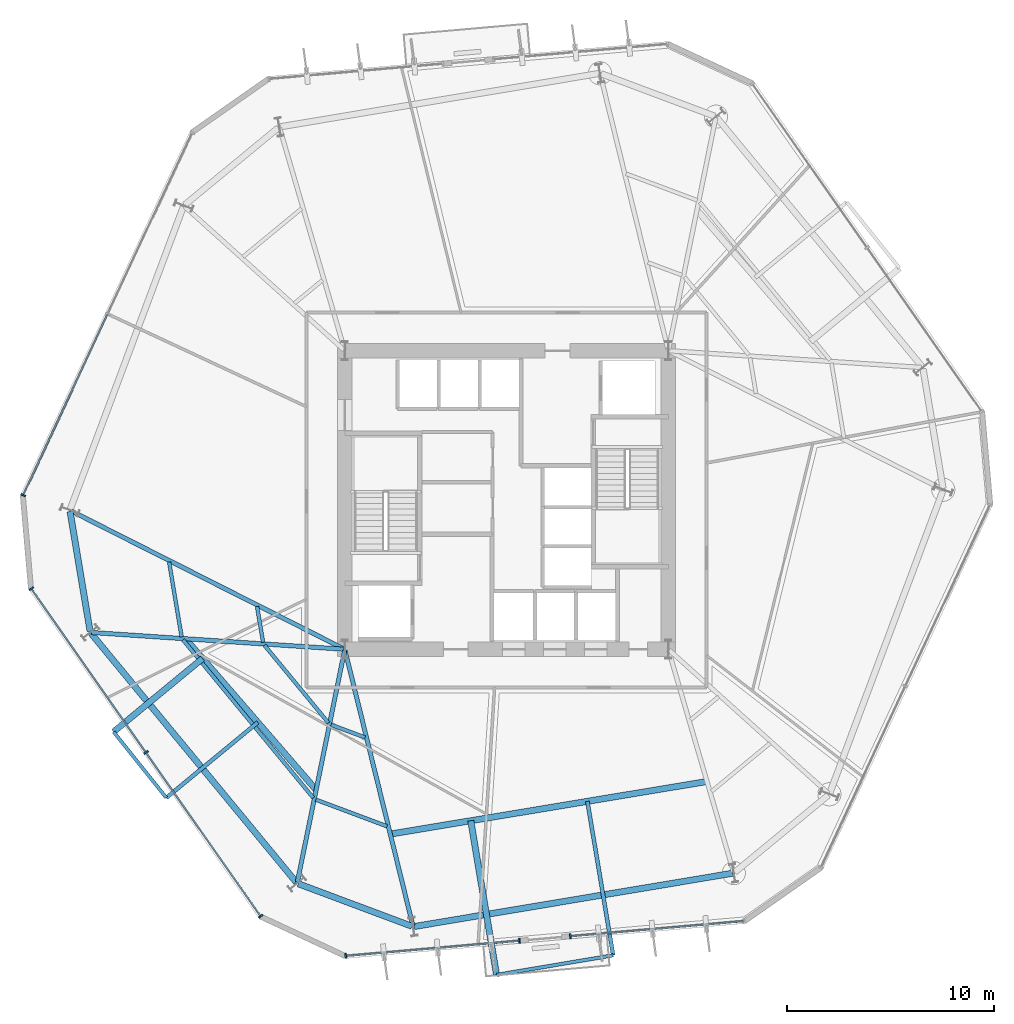
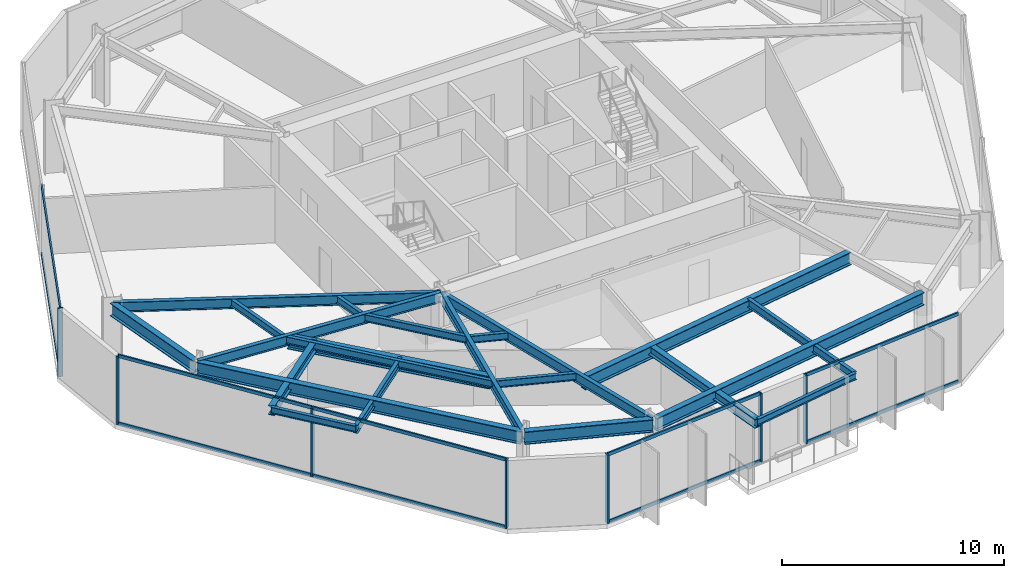
# One storey, part 2 of 11: 22 beams, 17 members, 4 elements without a shape of their own.
"""IFC4 building model written with IfcOpenShell, lengths in metres."""

from ifc_helpers import new_model, si_unit, direction, frame, origin, origin_2d, place, context, subcontext, project, spatial, rectangle, i_section, extrude, material, layer, layer_set, material_profile, profile_set, type_object, element, aggregate, save


model = new_model("IFC4")

# Units and contexts
model_context = context("Model", 3, precision=1e-05, world=origin(), true_north=direction((0.0, 1.0)))
body_context = subcontext(model_context, "Body", "Model", "MODEL_VIEW")
ifc_project = project(units=[si_unit("LENGTHUNIT", "METRE"), si_unit("AREAUNIT", "SQUARE_METRE"), si_unit("VOLUMEUNIT", "CUBIC_METRE"), si_unit("PLANEANGLEUNIT", "RADIAN"), si_unit("MASSUNIT", "GRAM", prefix="KILO")], contexts=[model_context])

# Site, building, storey
site_placement = place(None, origin())
site = spatial("IfcSite", under=ifc_project, at=site_placement, CompositionType="ELEMENT")
building_placement = place(site_placement, origin())
building = spatial("IfcBuilding", under=site, at=building_placement, Name="Kranzbogen Civic Tower", CompositionType="ELEMENT")
storey_placement = place(building_placement, frame((0.0, 0.0, 40.0)))
storey = spatial("IfcBuildingStorey", under=building, at=storey_placement, Name="L09", CompositionType="ELEMENT", Elevation=40.0)

# Beams
ifc_material_1 = material(Name="Steel S355", Category="steel")
ifc_material_profile_1 = material_profile(ifc_material_1, i_section(OverallWidth=0.18994140625, OverallDepth=0.449951171875, WebThickness=0.009521484375, FlangeThickness=0.0146484375, at=origin_2d()), Name="IPE 450")
ifc_profile_set_1 = profile_set([ifc_material_profile_1], Name="Steel S355")
beam_type_1 = type_object("IfcBeamType", Name="Braced Terrace Edge Beam IPE 450", PredefinedType="BEAM", material=ifc_profile_set_1)
beam_1_placement = place(storey_placement, frame((13.006103515625, 14.277099609375, 3.52490234375), z_axis=(-0.771647846518, -0.636049998793, 0.0), x_axis=(0.636049998793, -0.771647846518, 0.0)))
element("IfcBeam", 1, at=beam_1_placement, inside=storey, type_object=beam_type_1, Name="L10 back-spanned terrace beam L10-TB1-2", PredefinedType="BEAM", context=body_context, shape_type="SweptSolid", body=[
    extrude(i_section(OverallWidth=0.18994140625, OverallDepth=0.449951171875, WebThickness=0.009521484375, FlangeThickness=0.0146484375, at=origin_2d()), origin(), (0.0, 0.0, 1.0), 5.716552734375),
])
beam_2_placement = place(storey_placement, frame((28.89892578125, 10.468994140625, 3.4951171875), z_axis=(0.1650459641, -0.986285876272, 0.0), x_axis=(0.986285876272, 0.1650459641, 0.0)))
element("IfcBeam", 2, at=beam_2_placement, inside=storey, type_object=beam_type_1, Name="L10 back-spanned terrace beam L10-ST-2", PredefinedType="BEAM", context=body_context, shape_type="SweptSolid", body=[
    extrude(i_section(OverallWidth=0.18994140625, OverallDepth=0.449951171875, WebThickness=0.009521484375, FlangeThickness=0.0146484375, at=origin_2d()), origin(), (0.0, 0.0, 1.0), 7.5263671875),
])

# Curtain wall, member
ifc_material_2 = material(Name="Pale Anodised Aluminium", Category="aluminium")
ifc_layer = layer(ifc_material_2, 0.219970703125, Name="Pale Anodised Aluminium")
ifc_layer_set = layer_set([ifc_layer], Name="Pale Anodised Aluminium")
curtain_wall_type = type_object("IfcCurtainWallType", Name="Zone 1 Stick Curtain Wall System CW-02", PredefinedType="USERDEFINED", material=ifc_layer_set)
curtain_wall_1_placement = place(storey_placement, origin())
curtain_wall_1 = element("IfcCurtainWall", 3, at=curtain_wall_1_placement, inside=storey, type_object=curtain_wall_type, Name="L09 curtain wall CW-L09-F3", ObjectType="STICK CURTAIN WALL", PredefinedType="USERDEFINED")
ifc_material_profile_2 = material_profile(ifc_material_2, rectangle(XDim=0.080078125, YDim=0.239990234375, at=origin_2d()), Name="ALU-M 80x240")
ifc_profile_set_2 = profile_set([ifc_material_profile_2], Name="Pale Anodised Aluminium")
member_type_1 = type_object("IfcMemberType", Name="Curtain Wall Mullion ALU-M 80x240", PredefinedType="MULLION", material=ifc_profile_set_2)
member_1_placement = place(storey_placement, frame((1.691650390625, 25.232177734375, 0.0), z_axis=(0.0, 0.0, 1.0), x_axis=(-0.422622213878, -0.906305944114, 0.0)))
member_1 = element("IfcMember", 4, at=member_1_placement, type_object=member_type_1, Name="CW-02 mullion 3", PredefinedType="MULLION", context=body_context, shape_type="SweptSolid", body=[
    extrude(rectangle(XDim=0.080078125, YDim=0.239990234375, at=origin_2d()), origin(), (0.0, 0.0, 1.0), 3.760009765625),
])

# Curtain wall, members
curtain_wall_2_placement = place(storey_placement, origin())
curtain_wall_2 = element("IfcCurtainWall", 5, at=curtain_wall_2_placement, inside=storey, type_object=curtain_wall_type, Name="L09 curtain wall CW-L09-F4", ObjectType="STICK CURTAIN WALL", PredefinedType="USERDEFINED")
member_2_placement = place(storey_placement, frame((2.086181640625, 20.724365234375, 0.0), z_axis=(0.0, 0.0, 1.0), x_axis=(0.573562973826, -0.819161470685, 0.0)))
member_2 = element("IfcMember", 6, at=member_2_placement, type_object=member_type_1, Name="CW-02 mullion 1", PredefinedType="MULLION", context=body_context, shape_type="SweptSolid", body=[
    extrude(rectangle(XDim=0.080078125, YDim=0.239990234375, at=origin_2d()), origin(), (0.0, 0.0, 1.0), 3.760009765625),
])
member_3_placement = place(storey_placement, frame((7.615478515625, 12.827392578125, 0.0), z_axis=(0.0, 0.0, 1.0), x_axis=(0.573562973826, -0.819161470685, 0.0)))
member_3 = element("IfcMember", 7, at=member_3_placement, type_object=member_type_1, Name="CW-02 mullion 2", PredefinedType="MULLION", context=body_context, shape_type="SweptSolid", body=[
    extrude(rectangle(XDim=0.080078125, YDim=0.239990234375, at=origin_2d()), origin(), (0.0, 0.0, 1.0), 3.760009765625),
])
member_4_placement = place(storey_placement, frame((13.144775390625, 4.9306640625, 0.0), z_axis=(0.0, 0.0, 1.0), x_axis=(0.573562973826, -0.819161470685, 0.0)))
member_4 = element("IfcMember", 8, at=member_4_placement, type_object=member_type_1, Name="CW-02 mullion 3", PredefinedType="MULLION", context=body_context, shape_type="SweptSolid", body=[
    extrude(rectangle(XDim=0.080078125, YDim=0.239990234375, at=origin_2d()), origin(), (0.0, 0.0, 1.0), 3.760009765625),
])

curtain_wall_3_placement = place(storey_placement, origin())
curtain_wall_3 = element("IfcCurtainWall", 9, at=curtain_wall_3_placement, inside=storey, type_object=curtain_wall_type, Name="L09 curtain wall CW-L09-F5-S1", ObjectType="STICK CURTAIN WALL", PredefinedType="USERDEFINED")
member_5_placement = place(storey_placement, frame((17.245849609375, 3.017578125, 0.0), z_axis=(0.0, 0.0, 1.0), x_axis=(0.996197944707, 0.087118625807, 0.0)))
member_5 = element("IfcMember", 10, at=member_5_placement, type_object=member_type_1, Name="CW-02 mullion 1", PredefinedType="MULLION", context=body_context, shape_type="SweptSolid", body=[
    extrude(rectangle(XDim=0.080078125, YDim=0.239990234375, at=origin_2d()), origin(), (0.0, 0.0, 1.0), 3.760009765625),
])
member_6_placement = place(storey_placement, frame((25.625, 3.75048828125, 0.0), z_axis=(0.0, 0.0, 1.0), x_axis=(0.996197944707, 0.087118625807, 0.0)))
member_6 = element("IfcMember", 11, at=member_6_placement, type_object=member_type_1, Name="CW-02 mullion 2", PredefinedType="MULLION", context=body_context, shape_type="SweptSolid", body=[
    extrude(rectangle(XDim=0.080078125, YDim=0.239990234375, at=origin_2d()), origin(), (0.0, 0.0, 1.0), 3.760009765625),
])

# Curtain wall, member
curtain_wall_4_placement = place(storey_placement, origin())
curtain_wall_4 = element("IfcCurtainWall", 12, at=curtain_wall_4_placement, inside=storey, type_object=curtain_wall_type, Name="L09 curtain wall CW-L09-F5-S2", ObjectType="STICK CURTAIN WALL", PredefinedType="USERDEFINED")
member_7_placement = place(storey_placement, frame((28.074951171875, 3.965576171875, 0.0), z_axis=(0.0, 0.0, 1.0), x_axis=(0.996197048613, 0.087128871992, 0.0)))
member_7 = element("IfcMember", 13, at=member_7_placement, type_object=member_type_1, Name="CW-02 mullion 1", PredefinedType="MULLION", context=body_context, shape_type="SweptSolid", body=[
    extrude(rectangle(XDim=0.080078125, YDim=0.239990234375, at=origin_2d()), origin(), (0.0, 0.0, 1.0), 3.760009765625),
])

# Member
ifc_material_profile_3 = material_profile(ifc_material_2, rectangle(XDim=0.080078125, YDim=0.179931640625, at=origin_2d()), Name="ALU-T 80x180")
ifc_profile_set_3 = profile_set([ifc_material_profile_3], Name="Pale Anodised Aluminium")
member_type_2 = type_object("IfcMemberType", Name="Curtain Wall Transom ALU-T 80x180", PredefinedType="USERDEFINED", material=ifc_profile_set_3)
member_8_placement = place(storey_placement, frame((5.75341796875, 33.9423828125, 0.030029296875), z_axis=(-0.422624579346, -0.906304841062, 0.0), x_axis=(0.906304841062, -0.422624579346, 0.0)))
member_8 = element("IfcMember", 14, at=member_8_placement, type_object=member_type_2, Name="CW-02 transom 2.1", ObjectType="TRANSOM", PredefinedType="USERDEFINED", context=body_context, shape_type="SweptSolid", body=[
    extrude(rectangle(XDim=0.080078125, YDim=0.179931640625, at=origin_2d()), origin(), (0.0, 0.0, 1.0), 9.580810546875),
])

member_9_placement = place(storey_placement, frame((5.75341796875, 33.9423828125, 3.72998046875), z_axis=(-0.422624579346, -0.906304841062, 0.0), x_axis=(0.906304841062, -0.422624579346, 0.0)))
member_9 = element("IfcMember", 15, at=member_9_placement, type_object=member_type_2, Name="CW-02 transom 2.2", ObjectType="TRANSOM", PredefinedType="USERDEFINED", context=body_context, shape_type="SweptSolid", body=[
    extrude(rectangle(XDim=0.080078125, YDim=0.179931640625, at=origin_2d()), origin(), (0.0, 0.0, 1.0), 9.580810546875),
])

aggregate(curtain_wall_1, [member_1, member_8, member_9])

member_10_placement = place(storey_placement, frame((2.103515625, 20.699951171875, 0.030029296875), z_axis=(0.573556407074, -0.819166068575, 0.0), x_axis=(0.819166068575, 0.573556407074, 0.0)))
member_10 = element("IfcMember", 16, at=member_10_placement, type_object=member_type_2, Name="CW-02 transom 1.1", ObjectType="TRANSOM", PredefinedType="USERDEFINED", context=body_context, shape_type="SweptSolid", body=[
    extrude(rectangle(XDim=0.080078125, YDim=0.179931640625, at=origin_2d()), origin(), (0.0, 0.0, 1.0), 9.580322265625),
])

member_11_placement = place(storey_placement, frame((2.103515625, 20.699951171875, 3.72998046875), z_axis=(0.573556407074, -0.819166068575, 0.0), x_axis=(0.819166068575, 0.573556407074, 0.0)))
member_11 = element("IfcMember", 17, at=member_11_placement, type_object=member_type_2, Name="CW-02 transom 1.2", ObjectType="TRANSOM", PredefinedType="USERDEFINED", context=body_context, shape_type="SweptSolid", body=[
    extrude(rectangle(XDim=0.080078125, YDim=0.179931640625, at=origin_2d()), origin(), (0.0, 0.0, 1.0), 9.580322265625),
])

member_12_placement = place(storey_placement, frame((7.6328125, 12.802978515625, 0.030029296875), z_axis=(0.573556407074, -0.819166068575, 0.0), x_axis=(0.819166068575, 0.573556407074, 0.0)))
member_12 = element("IfcMember", 18, at=member_12_placement, type_object=member_type_2, Name="CW-02 transom 2.1", ObjectType="TRANSOM", PredefinedType="USERDEFINED", context=body_context, shape_type="SweptSolid", body=[
    extrude(rectangle(XDim=0.080078125, YDim=0.179931640625, at=origin_2d()), origin(), (0.0, 0.0, 1.0), 9.580322265625),
])

member_13_placement = place(storey_placement, frame((7.6328125, 12.802978515625, 3.72998046875), z_axis=(0.573556407074, -0.819166068575, 0.0), x_axis=(0.819166068575, 0.573556407074, 0.0)))
member_13 = element("IfcMember", 19, at=member_13_placement, type_object=member_type_2, Name="CW-02 transom 2.2", ObjectType="TRANSOM", PredefinedType="USERDEFINED", context=body_context, shape_type="SweptSolid", body=[
    extrude(rectangle(XDim=0.080078125, YDim=0.179931640625, at=origin_2d()), origin(), (0.0, 0.0, 1.0), 9.580322265625),
])

aggregate(curtain_wall_2, [member_2, member_3, member_4, member_10, member_11, member_12, member_13])

member_14_placement = place(storey_placement, frame((17.27587890625, 3.020263671875, 0.030029296875), z_axis=(0.99619790502, 0.087119079615, 0.0), x_axis=(-0.087119079615, 0.99619790502, 0.0)))
member_14 = element("IfcMember", 20, at=member_14_placement, type_object=member_type_2, Name="CW-02 transom 1.1", ObjectType="TRANSOM", PredefinedType="USERDEFINED", context=body_context, shape_type="SweptSolid", body=[
    extrude(rectangle(XDim=0.080078125, YDim=0.179931640625, at=origin_2d()), origin(), (0.0, 0.0, 1.0), 8.35107421875),
])

member_15_placement = place(storey_placement, frame((17.27587890625, 3.020263671875, 3.72998046875), z_axis=(0.99619790502, 0.087119079615, 0.0), x_axis=(-0.087119079615, 0.99619790502, 0.0)))
member_15 = element("IfcMember", 21, at=member_15_placement, type_object=member_type_2, Name="CW-02 transom 1.2", ObjectType="TRANSOM", PredefinedType="USERDEFINED", context=body_context, shape_type="SweptSolid", body=[
    extrude(rectangle(XDim=0.080078125, YDim=0.179931640625, at=origin_2d()), origin(), (0.0, 0.0, 1.0), 8.35107421875),
])

aggregate(curtain_wall_3, [member_5, member_6, member_14, member_15])

member_16_placement = place(storey_placement, frame((28.104736328125, 3.96826171875, 0.030029296875), z_axis=(0.996197239285, 0.087126691899, 0.0), x_axis=(-0.087126691899, 0.996197239285, 0.0)))
member_16 = element("IfcMember", 22, at=member_16_placement, type_object=member_type_2, Name="CW-02 transom 1.1", ObjectType="TRANSOM", PredefinedType="USERDEFINED", context=body_context, shape_type="SweptSolid", body=[
    extrude(rectangle(XDim=0.080078125, YDim=0.179931640625, at=origin_2d()), origin(), (0.0, 0.0, 1.0), 8.350341796875),
])

member_17_placement = place(storey_placement, frame((28.104736328125, 3.96826171875, 3.72998046875), z_axis=(0.996197239285, 0.087126691899, 0.0), x_axis=(-0.087126691899, 0.996197239285, 0.0)))
member_17 = element("IfcMember", 23, at=member_17_placement, type_object=member_type_2, Name="CW-02 transom 1.2", ObjectType="TRANSOM", PredefinedType="USERDEFINED", context=body_context, shape_type="SweptSolid", body=[
    extrude(rectangle(XDim=0.080078125, YDim=0.179931640625, at=origin_2d()), origin(), (0.0, 0.0, 1.0), 8.350341796875),
])

aggregate(curtain_wall_4, [member_7, member_16, member_17])

# Beams
ifc_material_profile_4 = material_profile(ifc_material_1, i_section(OverallWidth=0.300048828125, OverallDepth=0.5, WebThickness=0.014404296875, FlangeThickness=0.028076171875, at=origin_2d()), Name="HEB 500")
ifc_profile_set_4 = profile_set([ifc_material_profile_4], Name="Steel S355")
beam_type_2 = type_object("IfcBeamType", Name="Perimeter Tube Spandrel Beam HEB 500", PredefinedType="SPANDREL", material=ifc_profile_set_4)
beam_3_placement = place(storey_placement, frame((10.341064453125, 17.35791015625, 3.5), z_axis=(-0.771616913204, -0.63608752484, 0.0), x_axis=(0.63608752484, -0.771616913204, 0.0)))
element("IfcBeam", 24, at=beam_3_placement, inside=storey, type_object=beam_type_2, Name="L10 back-spanned terrace beam L10-TB1-1", PredefinedType="SPANDREL", context=body_context, shape_type="SweptSolid", body=[
    extrude(i_section(OverallWidth=0.300048828125, OverallDepth=0.5, WebThickness=0.014404296875, FlangeThickness=0.028076171875, at=origin_2d()), origin(), (0.0, 0.0, 1.0), 5.557373046875),
])
beam_4_placement = place(storey_placement, frame((23.27490234375, 9.534912109375, 3.469970703125), z_axis=(0.165044944503, -0.986286046892, 0.0), x_axis=(0.986286046892, 0.165044944503, 0.0)))
element("IfcBeam", 25, at=beam_4_placement, inside=storey, type_object=beam_type_2, Name="L10 back-spanned terrace beam L10-ST-1", PredefinedType="SPANDREL", context=body_context, shape_type="SweptSolid", body=[
    extrude(i_section(OverallWidth=0.300048828125, OverallDepth=0.5, WebThickness=0.014404296875, FlangeThickness=0.028076171875, at=origin_2d()), origin(), (0.0, 0.0, 1.0), 7.5380859375),
])
ifc_material_profile_5 = material_profile(ifc_material_1, i_section(OverallWidth=0.300048828125, OverallDepth=0.699951171875, WebThickness=0.01708984375, FlangeThickness=0.031982421875, at=origin_2d()), Name="HEB 700")
ifc_profile_set_5 = profile_set([ifc_material_profile_5], Name="Steel S355")
beam_type_3 = type_object("IfcBeamType", Name="Perimeter Tube Spandrel Beam HEB 700", PredefinedType="SPANDREL", material=ifc_profile_set_5)
beam_5_placement = place(storey_placement, frame((3.952880859375, 24.445068359375, 3.409912109375), z_axis=(0.164913116942, -0.986308097838, 0.0), x_axis=(0.986308097838, 0.164913116942, 0.0)))
element("IfcBeam", 26, at=beam_5_placement, inside=storey, type_object=beam_type_3, Name="L09 perimeter spandrel beam 01", PredefinedType="SPANDREL", context=body_context, shape_type="SweptSolid", body=[
    extrude(i_section(OverallWidth=0.300048828125, OverallDepth=0.699951171875, WebThickness=0.01708984375, FlangeThickness=0.031982421875, at=origin_2d()), origin(), (0.0, 0.0, 1.0), 5.85205078125),
])
beam_6_placement = place(storey_placement, frame((4.966064453125, 18.568115234375, 3.409912109375), z_axis=(0.636074572579, -0.771627590304, 0.0), x_axis=(0.771627590304, 0.636074572579, 0.0)))
element("IfcBeam", 27, at=beam_6_placement, inside=storey, type_object=beam_type_3, Name="L09 perimeter spandrel beam 02", PredefinedType="SPANDREL", context=body_context, shape_type="SweptSolid", body=[
    extrude(i_section(OverallWidth=0.300048828125, OverallDepth=0.699951171875, WebThickness=0.01708984375, FlangeThickness=0.031982421875, at=origin_2d()), origin(), (0.0, 0.0, 1.0), 15.5595703125),
])
beam_7_placement = place(storey_placement, frame((14.95703125, 6.4951171875, 3.409912109375), z_axis=(0.936647646965, -0.350273015568, 0.0), x_axis=(0.350273015568, 0.936647646965, 0.0)))
element("IfcBeam", 28, at=beam_7_placement, inside=storey, type_object=beam_type_3, Name="L09 perimeter spandrel beam 03", PredefinedType="SPANDREL", context=body_context, shape_type="SweptSolid", body=[
    extrude(i_section(OverallWidth=0.300048828125, OverallDepth=0.699951171875, WebThickness=0.01708984375, FlangeThickness=0.031982421875, at=origin_2d()), origin(), (0.0, 0.0, 1.0), 5.852783203125),
])
beam_8_placement = place(storey_placement, frame((20.553955078125, 4.43408203125, 3.409912109375), z_axis=(0.986285563243, 0.165047834697, 0.0), x_axis=(-0.165047834697, 0.986285563243, 0.0)))
element("IfcBeam", 29, at=beam_8_placement, inside=storey, type_object=beam_type_3, Name="L09 perimeter spandrel beam 04", PredefinedType="SPANDREL", context=body_context, shape_type="SweptSolid", body=[
    extrude(i_section(OverallWidth=0.300048828125, OverallDepth=0.699951171875, WebThickness=0.01708984375, FlangeThickness=0.031982421875, at=origin_2d()), origin(), (0.0, 0.0, 1.0), 15.558349609375),
])
beam_9_placement = place(storey_placement, frame((9.51806640625, 18.31005859375, 3.39990234375), z_axis=(0.654072384898, -0.75643196344, 0.0), x_axis=(0.75643196344, 0.654072384898, 0.0)))
element("IfcBeam", 30, at=beam_9_placement, inside=storey, type_object=beam_type_3, Name="L10 balcony back-span header girder L10-TB1", PredefinedType="SPANDREL", context=body_context, shape_type="SweptSolid", body=[
    extrude(i_section(OverallWidth=0.300048828125, OverallDepth=0.699951171875, WebThickness=0.01708984375, FlangeThickness=0.031982421875, at=origin_2d()), origin(), (0.0, 0.0, 1.0), 9.633544921875),
])
beam_10_placement = place(storey_placement, frame((19.39501953125, 8.889892578125, 3.3701171875), z_axis=(0.9864781902, 0.163892587571, 0.0), x_axis=(-0.163892587571, 0.9864781902, 0.0)))
element("IfcBeam", 31, at=beam_10_placement, inside=storey, type_object=beam_type_3, Name="L10 balcony back-span header girder L10-ST", PredefinedType="SPANDREL", context=body_context, shape_type="SweptSolid", body=[
    extrude(i_section(OverallWidth=0.300048828125, OverallDepth=0.699951171875, WebThickness=0.01708984375, FlangeThickness=0.031982421875, at=origin_2d()), origin(), (0.0, 0.0, 1.0), 15.480224609375),
])
ifc_material_profile_6 = material_profile(ifc_material_1, i_section(OverallWidth=0.2099609375, OverallDepth=0.550048828125, WebThickness=0.010986328125, FlangeThickness=0.01708984375, at=origin_2d()), Name="IPE 550")
ifc_profile_set_6 = profile_set([ifc_material_profile_6], Name="Steel S355")
beam_type_4 = type_object("IfcBeamType", Name="Radial Tower Floor Girder IPE 550", PredefinedType="BEAM", material=ifc_profile_set_6)
beam_11_placement = place(storey_placement, frame((3.9970703125, 24.47705078125, 3.485107421875), z_axis=(0.892363219254, -0.451317942168, 0.0), x_axis=(0.451317942168, 0.892363219254, 0.0)))
element("IfcBeam", 32, at=beam_11_placement, inside=storey, type_object=beam_type_4, Name="L09 radial floor girder 01", PredefinedType="BEAM", context=body_context, shape_type="SweptSolid", body=[
    extrude(i_section(OverallWidth=0.2099609375, OverallDepth=0.550048828125, WebThickness=0.010986328125, FlangeThickness=0.01708984375, at=origin_2d()), origin(), (0.0, 0.0, 1.0), 14.73486328125),
])
beam_12_placement = place(storey_placement, frame((4.988037109375, 18.610107421875, 3.485107421875), z_axis=(0.99780674843, -0.066194356156, 0.0), x_axis=(0.066194356156, 0.99780674843, 0.0)))
element("IfcBeam", 33, at=beam_12_placement, inside=storey, type_object=beam_type_4, Name="L09 radial floor girder 02", PredefinedType="BEAM", context=body_context, shape_type="SweptSolid", body=[
    extrude(i_section(OverallWidth=0.2099609375, OverallDepth=0.550048828125, WebThickness=0.010986328125, FlangeThickness=0.01708984375, at=origin_2d()), origin(), (0.0, 0.0, 1.0), 12.178466796875),
])
beam_13_placement = place(storey_placement, frame((14.9130859375, 6.574951171875, 3.485107421875), z_axis=(0.199633433694, 0.979870650725, 0.0), x_axis=(-0.979870650725, 0.199633433694, 0.0)))
element("IfcBeam", 34, at=beam_13_placement, inside=storey, type_object=beam_type_4, Name="L09 radial floor girder 03", PredefinedType="BEAM", context=body_context, shape_type="SweptSolid", body=[
    extrude(i_section(OverallWidth=0.2099609375, OverallDepth=0.550048828125, WebThickness=0.010986328125, FlangeThickness=0.01708984375, at=origin_2d()), origin(), (0.0, 0.0, 1.0), 11.3955078125),
])
beam_14_placement = place(storey_placement, frame((20.48095703125, 4.48193359375, 3.485107421875), z_axis=(-0.239215348776, 0.970966537482, 0.0), x_axis=(-0.970966537482, -0.239215348776, 0.0)))
element("IfcBeam", 35, at=beam_14_placement, inside=storey, type_object=beam_type_4, Name="L09 radial floor girder 04", PredefinedType="BEAM", context=body_context, shape_type="SweptSolid", body=[
    extrude(i_section(OverallWidth=0.2099609375, OverallDepth=0.550048828125, WebThickness=0.010986328125, FlangeThickness=0.01708984375, at=origin_2d()), origin(), (0.0, 0.0, 1.0), 13.656494140625),
])
ifc_material_profile_7 = material_profile(ifc_material_1, i_section(OverallWidth=0.169921875, OverallDepth=0.360107421875, WebThickness=0.008056640625, FlangeThickness=0.0126953125, at=origin_2d()), Name="IPE 360")
ifc_profile_set_7 = profile_set([ifc_material_profile_7], Name="Steel S355")
beam_type_5 = type_object("IfcBeamType", Name="Secondary Composite Floor Joist IPE 360", PredefinedType="JOIST", material=ifc_profile_set_7)
beam_15_placement = place(storey_placement, frame((6.052978515625, 13.822998046875, 3.570068359375), z_axis=(0.62416854141, -0.781289723415, 0.0), x_axis=(0.781289723415, 0.62416854141, 0.0)))
element("IfcBeam", 36, at=beam_15_placement, inside=storey, type_object=beam_type_5, Name="L10 terrace outer edge trimmer L10-TB1", PredefinedType="JOIST", context=body_context, shape_type="SweptSolid", body=[
    extrude(i_section(OverallWidth=0.169921875, OverallDepth=0.360107421875, WebThickness=0.008056640625, FlangeThickness=0.0126953125, at=origin_2d()), origin(), (0.0, 0.0, 1.0), 4.072509765625),
])
beam_16_placement = place(storey_placement, frame((24.51904296875, 2.10009765625, 3.5400390625), z_axis=(0.98614278587, 0.165898782024, 0.0), x_axis=(-0.165898782024, 0.98614278587, 0.0)))
element("IfcBeam", 37, at=beam_16_placement, inside=storey, type_object=beam_type_5, Name="L10 terrace outer edge trimmer L10-ST", PredefinedType="JOIST", context=body_context, shape_type="SweptSolid", body=[
    extrude(i_section(OverallWidth=0.169921875, OverallDepth=0.360107421875, WebThickness=0.008056640625, FlangeThickness=0.0126953125, at=origin_2d()), origin(), (0.0, 0.0, 1.0), 5.701171875),
])
ifc_material_profile_8 = material_profile(ifc_material_1, i_section(OverallWidth=0.179931640625, OverallDepth=0.39990234375, WebThickness=0.008544921875, FlangeThickness=0.013427734375, at=origin_2d()), Name="IPE 400")
ifc_profile_set_8 = profile_set([ifc_material_profile_8], Name="Steel S355")
beam_type_6 = type_object("IfcBeamType", Name="Secondary Composite Floor Joist IPE 400", PredefinedType="JOIST", material=ifc_profile_set_8)
beam_17_placement = place(storey_placement, frame((8.72900390625, 22.011962890625, 3.56005859375), z_axis=(0.164928678379, -0.986305495802, 0.0), x_axis=(0.986305495802, 0.164928678379, 0.0)))
element("IfcBeam", 38, at=beam_17_placement, inside=storey, type_object=beam_type_6, Name="L09 secondary floor joist 1.01", PredefinedType="JOIST", context=body_context, shape_type="SweptSolid", body=[
    extrude(i_section(OverallWidth=0.179931640625, OverallDepth=0.39990234375, WebThickness=0.008544921875, FlangeThickness=0.013427734375, at=origin_2d()), origin(), (0.0, 0.0, 1.0), 3.662109375),
])
beam_18_placement = place(storey_placement, frame((12.970947265625, 19.865966796875, 3.56005859375), z_axis=(0.165077224104, -0.986280644686, 0.0), x_axis=(0.986280644686, 0.165077224104, 0.0)))
element("IfcBeam", 39, at=beam_18_placement, inside=storey, type_object=beam_type_6, Name="L09 secondary floor joist 2.01", PredefinedType="JOIST", context=body_context, shape_type="SweptSolid", body=[
    extrude(i_section(OverallWidth=0.179931640625, OverallDepth=0.39990234375, WebThickness=0.008544921875, FlangeThickness=0.013427734375, at=origin_2d()), origin(), (0.0, 0.0, 1.0), 1.7509765625),
])
beam_19_placement = place(storey_placement, frame((9.39697265625, 18.259033203125, 3.56005859375), z_axis=(0.636094561772, -0.771611112209, 0.0), x_axis=(0.771611112209, 0.636094561772, 0.0)))
element("IfcBeam", 40, at=beam_19_placement, inside=storey, type_object=beam_type_6, Name="L09 secondary floor joist 1.02", PredefinedType="JOIST", context=body_context, shape_type="SweptSolid", body=[
    extrude(i_section(OverallWidth=0.179931640625, OverallDepth=0.39990234375, WebThickness=0.008544921875, FlangeThickness=0.013427734375, at=origin_2d()), origin(), (0.0, 0.0, 1.0), 9.874267578125),
])
beam_20_placement = place(storey_placement, frame((13.323974609375, 17.9990234375, 3.56005859375), z_axis=(0.636012010413, -0.771679157818, 0.0), x_axis=(0.771679157818, 0.636012010413, 0.0)))
element("IfcBeam", 41, at=beam_20_placement, inside=storey, type_object=beam_type_6, Name="L09 secondary floor joist 2.02", PredefinedType="JOIST", context=body_context, shape_type="SweptSolid", body=[
    extrude(i_section(OverallWidth=0.179931640625, OverallDepth=0.39990234375, WebThickness=0.008544921875, FlangeThickness=0.013427734375, at=origin_2d()), origin(), (0.0, 0.0, 1.0), 4.85693359375),
])
beam_21_placement = place(storey_placement, frame((15.803955078125, 10.550048828125, 3.56005859375), z_axis=(0.936622008794, -0.350341565678, 0.0), x_axis=(0.350341565678, 0.936622008794, 0.0)))
element("IfcBeam", 42, at=beam_21_placement, inside=storey, type_object=beam_type_6, Name="L09 secondary floor joist 1.03", PredefinedType="JOIST", context=body_context, shape_type="SweptSolid", body=[
    extrude(i_section(OverallWidth=0.179931640625, OverallDepth=0.39990234375, WebThickness=0.008544921875, FlangeThickness=0.013427734375, at=origin_2d()), origin(), (0.0, 0.0, 1.0), 3.662109375),
])
beam_22_placement = place(storey_placement, frame((16.5390625, 14.160888671875, 3.56005859375), z_axis=(0.936735458815, -0.350038112495, 0.0), x_axis=(0.350038112495, 0.936735458815, 0.0)))
element("IfcBeam", 43, at=beam_22_placement, inside=storey, type_object=beam_type_6, Name="L09 secondary floor joist 2.03", PredefinedType="JOIST", context=body_context, shape_type="SweptSolid", body=[
    extrude(i_section(OverallWidth=0.179931640625, OverallDepth=0.39990234375, WebThickness=0.008544921875, FlangeThickness=0.013427734375, at=origin_2d()), origin(), (0.0, 0.0, 1.0), 1.750732421875),
])

save(model, "model.ifc")
